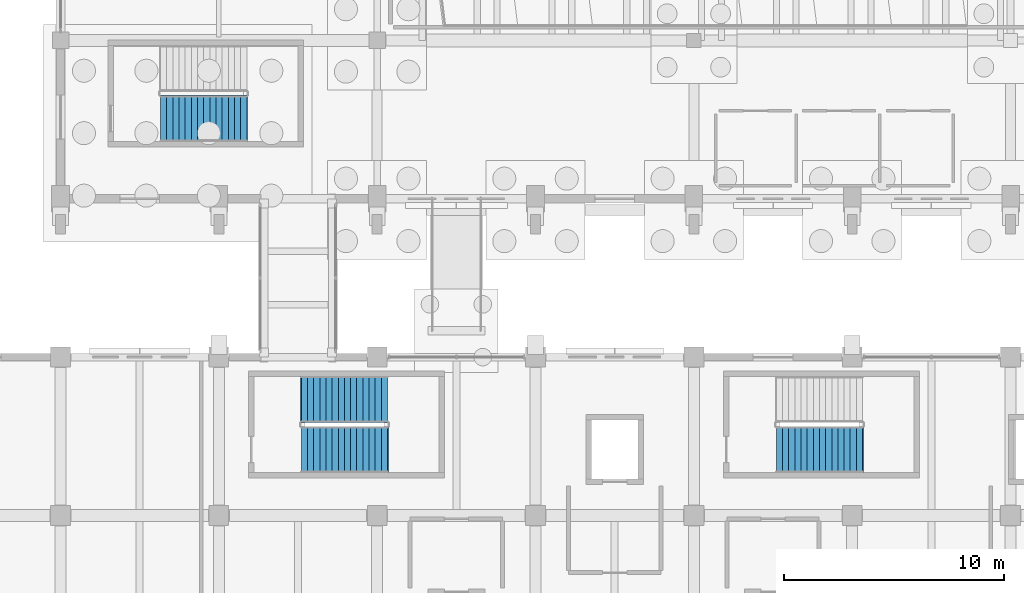
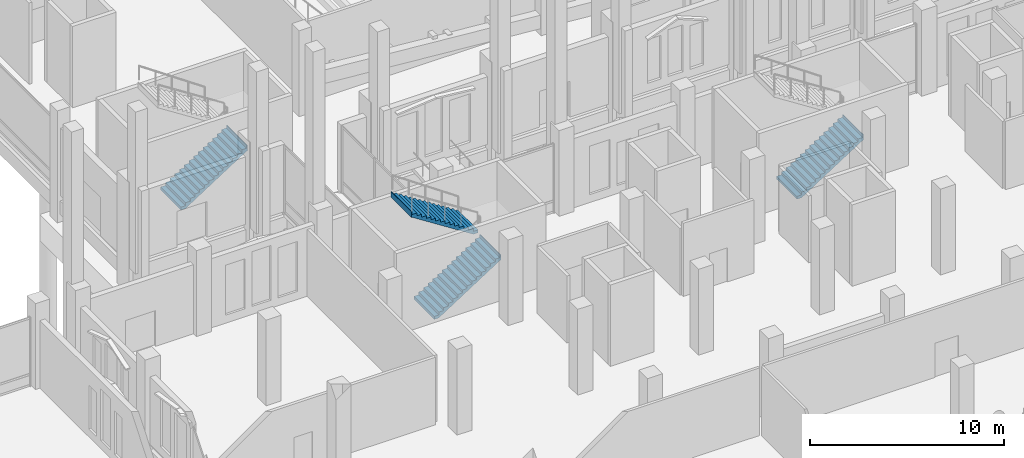
# One storey, part 162 of 192: 4 stair flights, 3 elements without a shape of their own.
"""IFC4 building model written with IfcOpenShell, lengths in metres."""

from ifc_helpers import new_model, si_unit, direction, frame, origin, place, context, subcontext, project, spatial, triangles, material, type_object, element, aggregate, save


model = new_model("IFC4")

# Units and contexts
model_context = context("Model", 3, precision=1e-05, world=origin(), true_north=direction((0.0, 1.0)))
body_context = subcontext(model_context, "Body", "Model", "MODEL_VIEW")
ifc_project = project(units=[si_unit("LENGTHUNIT", "METRE"), si_unit("AREAUNIT", "SQUARE_METRE"), si_unit("VOLUMEUNIT", "CUBIC_METRE"), si_unit("PLANEANGLEUNIT", "RADIAN"), si_unit("MASSUNIT", "GRAM", prefix="KILO")], contexts=[model_context])

# Site, building, storey
site_placement = place(None, origin())
site = spatial("IfcSite", under=ifc_project, at=site_placement, CompositionType="ELEMENT")
building_placement = place(site_placement, origin())
building = spatial("IfcBuilding", under=site, at=building_placement, Name="Cendralis Lancet Convention Centre", CompositionType="ELEMENT")
storey_placement = place(building_placement, origin())
storey = spatial("IfcBuildingStorey", under=building, at=storey_placement, Name="L00", CompositionType="ELEMENT", Elevation=0.0)

# Stair, stair flight
ifc_material = material(Name="Concrete G35 (C35/45)", Category="concrete")
stair_type = type_object("IfcStairType", Name="ARC-ST-CORE", PredefinedType="HALF_TURN_STAIR", material=ifc_material)
stair_1_placement = place(storey_placement, origin())
stair_1 = element("IfcStair", 1, at=stair_1_placement, inside=storey, type_object=stair_type, Name="L00 Protected Exit Stair ST-08", PredefinedType="HALF_TURN_STAIR")
stair_flight_type = type_object("IfcStairFlightType", Name="ARC-SF-CORE", PredefinedType="STRAIGHT", material=ifc_material)
stair_flight_1_placement = place(storey_placement, frame((143.75, 46.85009765625, 0.0), z_axis=(0.0, 0.0, 1.0), x_axis=(1.0, 0.0, 0.0)))
stair_flight_1 = element("IfcStairFlight", 2, at=stair_flight_1_placement, type_object=stair_flight_type, Name="ST-08 flight 1", NumberOfRisers=15, NumberOfTreads=14, PredefinedType="STRAIGHT", RiserHeight=0.18, TreadLength=0.28, context=body_context, shape_type="Tessellation", body=[
    triangles([(0.0, 0.0, 0.09), (0.0, 1.050049, 0.0), (0.0, -1.050049, 0.0), (0.0, -1.050049, 0.18), (0.0, 1.050049, 0.18), (0.138604, 0.0, 0.18), (0.277208, -1.050049, 0.18), (0.277208, 1.050049, 0.18), (0.138604, 0.0, 0.0), (0.277208, -1.050049, 0.0), (0.277208, 1.050049, 0.0), (0.278604, 0.0, 0.18), (0.28, -1.050049, 0.18), (0.28, 1.050049, 0.18), (0.278604, 0.0, 0.000897), (0.28, -1.050049, 0.001795), (0.28, 1.050049, 0.001795), (0.28, 0.0, 0.27), (0.28, -1.050049, 0.36), (0.28, 1.050049, 0.36), (0.42, 0.0, 0.36), (0.56, -1.050049, 0.36), (0.56, 1.050049, 0.36), (0.42, 0.0, 0.091795), (0.56, -1.050049, 0.181795), (0.56, 1.050049, 0.181795), (0.56, 0.0, 0.45), (0.56, -1.050049, 0.54), (0.56, 1.050049, 0.54), (0.7, 0.0, 0.54), (0.84, -1.050049, 0.54), (0.84, 1.050049, 0.54), (0.7, 0.0, 0.271795), (0.84, -1.050049, 0.361795), (0.84, 1.050049, 0.361795), (0.84, 0.0, 0.63), (0.84, -1.050049, 0.72), (0.84, 1.050049, 0.72), (0.98, 0.0, 0.72), (1.12, -1.050049, 0.72), (1.12, 1.050049, 0.72), (0.98, 0.0, 0.451795), (1.12, -1.050049, 0.541795), (1.12, 1.050049, 0.541795), (1.12, 0.0, 0.81), (1.12, -1.050049, 0.9), (1.12, 1.050049, 0.9), (1.26, 0.0, 0.9), (1.4, -1.050049, 0.9), (1.4, 1.050049, 0.9), (1.26, 0.0, 0.631795), (1.4, -1.050049, 0.721795), (1.4, 1.050049, 0.721795), (1.4, 0.0, 0.99), (1.4, -1.050049, 1.08), (1.4, 1.050049, 1.08), (1.54, 0.0, 1.08), (1.68, -1.050049, 1.08), (1.68, 1.050049, 1.08), (1.54, 0.0, 0.811795), (1.68, -1.050049, 0.901795), (1.68, 1.050049, 0.901795), (1.68, 0.0, 1.17), (1.68, -1.050049, 1.26), (1.68, 1.050049, 1.26), (1.82, 0.0, 1.26), (1.96, -1.050049, 1.26), (1.96, 1.050049, 1.26), (1.82, 0.0, 0.991795), (1.96, -1.050049, 1.081795), (1.96, 1.050049, 1.081795), (1.96, 0.0, 1.35), (1.96, -1.050049, 1.44), (1.96, 1.050049, 1.44), (2.1, 0.0, 1.44), (2.24, -1.050049, 1.44), (2.24, 1.050049, 1.44), (2.1, 0.0, 1.171795), (2.24, -1.050049, 1.261795), (2.24, 1.050049, 1.261795), (2.24, 0.0, 1.53), (2.24, -1.050049, 1.62), (2.24, 1.050049, 1.62), (2.38, 0.0, 1.62), (2.52, -1.050049, 1.62), (2.52, 1.050049, 1.62), (2.38, 0.0, 1.351795), (2.52, -1.050049, 1.441795), (2.52, 1.050049, 1.441795), (2.52, 0.0, 1.71), (2.52, -1.050049, 1.8), (2.52, 1.050049, 1.8), (2.66, 0.0, 1.8), (2.8, -1.050049, 1.8), (2.8, 1.050049, 1.8), (2.66, 0.0, 1.531795), (2.8, -1.050049, 1.621795), (2.8, 1.050049, 1.621795), (2.8, 0.0, 1.89), (2.8, -1.050049, 1.98), (2.8, 1.050049, 1.98), (2.94, 0.0, 1.98), (3.08, -1.050049, 1.98), (3.08, 1.050049, 1.98), (2.94, 0.0, 1.711795), (3.08, -1.050049, 1.801795), (3.08, 1.050049, 1.801795), (3.08, 0.0, 2.07), (3.08, -1.050049, 2.16), (3.08, 1.050049, 2.16), (3.22, 0.0, 2.16), (3.36, -1.050049, 2.16), (3.36, 1.050049, 2.16), (3.22, 0.0, 1.891795), (3.36, -1.050049, 1.981795), (3.36, 1.050049, 1.981795), (3.36, 0.0, 2.25), (3.36, -1.050049, 2.34), (3.36, 1.050049, 2.34), (3.5, 0.0, 2.34), (3.64, -1.050049, 2.34), (3.64, 1.050049, 2.34), (3.5, 0.0, 2.071795), (3.64, -1.050049, 2.161795), (3.64, 1.050049, 2.161795), (3.64, 0.0, 2.43), (3.64, -1.050049, 2.52), (3.64, 1.050049, 2.52), (3.78, 0.0, 2.52), (3.92, -1.050049, 2.52), (3.92, 1.050049, 2.52), (3.78, 0.0, 2.251795), (3.92, -1.050049, 2.341795), (3.92, 1.050049, 2.341795), (3.92, 0.0, 2.61), (3.92, -1.050049, 2.7), (3.92, 1.050049, 2.7), (3.94, 0.0, 2.7), (3.96, -1.050049, 2.7), (3.96, 1.050049, 2.7), (3.94, 0.0, 2.341795), (3.96, -1.050049, 2.341795), (3.96, 1.050049, 2.341795), (3.96, 0.0, 2.520898)], [[2, 3, 1], [3, 4, 1], [4, 5, 1], [5, 2, 1], [4, 7, 6], [7, 8, 6], [8, 5, 6], [5, 4, 6], [10, 3, 9], [3, 2, 9], [2, 11, 9], [11, 10, 9], [3, 10, 7], [3, 7, 4], [2, 8, 11], [2, 5, 8], [7, 13, 12], [13, 14, 12], [14, 8, 12], [8, 7, 12], [16, 10, 15], [10, 11, 15], [11, 17, 15], [17, 16, 15], [10, 16, 13], [10, 13, 7], [11, 14, 17], [11, 8, 14], [14, 13, 18], [13, 19, 18], [19, 20, 18], [20, 14, 18], [19, 22, 21], [22, 23, 21], [23, 20, 21], [20, 19, 21], [25, 16, 24], [16, 17, 24], [17, 26, 24], [26, 25, 24], [16, 25, 22], [16, 22, 13], [13, 22, 19], [17, 23, 26], [17, 14, 23], [14, 20, 23], [23, 22, 27], [22, 28, 27], [28, 29, 27], [29, 23, 27], [28, 31, 30], [31, 32, 30], [32, 29, 30], [29, 28, 30], [34, 25, 33], [25, 26, 33], [26, 35, 33], [35, 34, 33], [25, 34, 31], [25, 31, 22], [22, 31, 28], [26, 32, 35], [26, 23, 32], [23, 29, 32], [32, 31, 36], [31, 37, 36], [37, 38, 36], [38, 32, 36], [37, 40, 39], [40, 41, 39], [41, 38, 39], [38, 37, 39], [43, 34, 42], [34, 35, 42], [35, 44, 42], [44, 43, 42], [34, 43, 40], [34, 40, 31], [31, 40, 37], [35, 41, 44], [35, 32, 41], [32, 38, 41], [41, 40, 45], [40, 46, 45], [46, 47, 45], [47, 41, 45], [46, 49, 48], [49, 50, 48], [50, 47, 48], [47, 46, 48], [52, 43, 51], [43, 44, 51], [44, 53, 51], [53, 52, 51], [43, 52, 49], [43, 49, 40], [40, 49, 46], [44, 50, 53], [44, 41, 50], [41, 47, 50], [50, 49, 54], [49, 55, 54], [55, 56, 54], [56, 50, 54], [55, 58, 57], [58, 59, 57], [59, 56, 57], [56, 55, 57], [61, 52, 60], [52, 53, 60], [53, 62, 60], [62, 61, 60], [52, 61, 58], [52, 58, 49], [49, 58, 55], [53, 59, 62], [53, 50, 59], [50, 56, 59], [59, 58, 63], [58, 64, 63], [64, 65, 63], [65, 59, 63], [64, 67, 66], [67, 68, 66], [68, 65, 66], [65, 64, 66], [70, 61, 69], [61, 62, 69], [62, 71, 69], [71, 70, 69], [61, 70, 67], [61, 67, 58], [58, 67, 64], [62, 68, 71], [62, 59, 68], [59, 65, 68], [68, 67, 72], [67, 73, 72], [73, 74, 72], [74, 68, 72], [73, 76, 75], [76, 77, 75], [77, 74, 75], [74, 73, 75], [79, 70, 78], [70, 71, 78], [71, 80, 78], [80, 79, 78], [70, 79, 76], [70, 76, 67], [67, 76, 73], [71, 77, 80], [71, 68, 77], [68, 74, 77], [77, 76, 81], [76, 82, 81], [82, 83, 81], [83, 77, 81], [82, 85, 84], [85, 86, 84], [86, 83, 84], [83, 82, 84], [88, 79, 87], [79, 80, 87], [80, 89, 87], [89, 88, 87], [79, 88, 85], [79, 85, 76], [76, 85, 82], [80, 86, 89], [80, 77, 86], [77, 83, 86], [86, 85, 90], [85, 91, 90], [91, 92, 90], [92, 86, 90], [91, 94, 93], [94, 95, 93], [95, 92, 93], [92, 91, 93], [97, 88, 96], [88, 89, 96], [89, 98, 96], [98, 97, 96], [88, 97, 94], [88, 94, 85], [85, 94, 91], [89, 95, 98], [89, 86, 95], [86, 92, 95], [95, 94, 99], [94, 100, 99], [100, 101, 99], [101, 95, 99], [100, 103, 102], [103, 104, 102], [104, 101, 102], [101, 100, 102], [106, 97, 105], [97, 98, 105], [98, 107, 105], [107, 106, 105], [97, 106, 103], [97, 103, 94], [94, 103, 100], [98, 104, 107], [98, 95, 104], [95, 101, 104], [104, 103, 108], [103, 109, 108], [109, 110, 108], [110, 104, 108], [109, 112, 111], [112, 113, 111], [113, 110, 111], [110, 109, 111], [115, 106, 114], [106, 107, 114], [107, 116, 114], [116, 115, 114], [106, 115, 112], [106, 112, 103], [103, 112, 109], [107, 113, 116], [107, 104, 113], [104, 110, 113], [113, 112, 117], [112, 118, 117], [118, 119, 117], [119, 113, 117], [118, 121, 120], [121, 122, 120], [122, 119, 120], [119, 118, 120], [124, 115, 123], [115, 116, 123], [116, 125, 123], [125, 124, 123], [115, 124, 121], [115, 121, 112], [112, 121, 118], [116, 122, 125], [116, 113, 122], [113, 119, 122], [122, 121, 126], [121, 127, 126], [127, 128, 126], [128, 122, 126], [127, 130, 129], [130, 131, 129], [131, 128, 129], [128, 127, 129], [133, 124, 132], [124, 125, 132], [125, 134, 132], [134, 133, 132], [124, 133, 130], [124, 130, 121], [121, 130, 127], [125, 131, 134], [125, 122, 131], [122, 128, 131], [131, 130, 135], [130, 136, 135], [136, 137, 135], [137, 131, 135], [136, 139, 138], [139, 140, 138], [140, 137, 138], [137, 136, 138], [142, 133, 141], [133, 134, 141], [134, 143, 141], [143, 142, 141], [133, 142, 139], [133, 139, 130], [130, 139, 136], [134, 140, 143], [134, 131, 140], [131, 137, 140], [142, 143, 144], [143, 140, 144], [140, 139, 144], [139, 142, 144]], closed=True),
])
aggregate(stair_1, [stair_flight_1])

# Stair, stair flights
stair_2_placement = place(storey_placement, origin())
stair_2 = element("IfcStair", 3, at=stair_2_placement, inside=storey, type_object=stair_type, Name="L00 Protected Exit Stair ST-13", PredefinedType="HALF_TURN_STAIR")
stair_flight_2_placement = place(storey_placement, frame((150.14990234375, 31.800048828125, 0.0), z_axis=(0.0, 0.0, 1.0), x_axis=(1.0, 0.0, 0.0)))
stair_flight_2 = element("IfcStairFlight", 4, at=stair_flight_2_placement, type_object=stair_flight_type, Name="ST-13 flight 1", NumberOfRisers=15, NumberOfTreads=14, PredefinedType="STRAIGHT", RiserHeight=0.18, TreadLength=0.28, context=body_context, shape_type="Tessellation", body=[
    triangles([(0.0, 0.0, 0.09), (0.0, 1.050049, 0.0), (0.0, -1.050049, 0.0), (0.0, -1.050049, 0.18), (0.0, 1.050049, 0.18), (0.138604, 0.0, 0.18), (0.277208, -1.050049, 0.18), (0.277208, 1.050049, 0.18), (0.138604, 0.0, 0.0), (0.277208, -1.050049, 0.0), (0.277208, 1.050049, 0.0), (0.278604, 0.0, 0.18), (0.28, -1.050049, 0.18), (0.28, 1.050049, 0.18), (0.278604, 0.0, 0.000897), (0.28, -1.050049, 0.001795), (0.28, 1.050049, 0.001795), (0.28, 0.0, 0.27), (0.28, -1.050049, 0.36), (0.28, 1.050049, 0.36), (0.42, 0.0, 0.36), (0.56, -1.050049, 0.36), (0.56, 1.050049, 0.36), (0.42, 0.0, 0.091795), (0.56, -1.050049, 0.181795), (0.56, 1.050049, 0.181795), (0.56, 0.0, 0.45), (0.56, -1.050049, 0.54), (0.56, 1.050049, 0.54), (0.7, 0.0, 0.54), (0.84, -1.050049, 0.54), (0.84, 1.050049, 0.54), (0.7, 0.0, 0.271795), (0.84, -1.050049, 0.361795), (0.84, 1.050049, 0.361795), (0.84, 0.0, 0.63), (0.84, -1.050049, 0.72), (0.84, 1.050049, 0.72), (0.98, 0.0, 0.72), (1.12, -1.050049, 0.72), (1.12, 1.050049, 0.72), (0.98, 0.0, 0.451795), (1.12, -1.050049, 0.541795), (1.12, 1.050049, 0.541795), (1.12, 0.0, 0.81), (1.12, -1.050049, 0.9), (1.12, 1.050049, 0.9), (1.26, 0.0, 0.9), (1.4, -1.050049, 0.9), (1.4, 1.050049, 0.9), (1.26, 0.0, 0.631795), (1.4, -1.050049, 0.721795), (1.4, 1.050049, 0.721795), (1.4, 0.0, 0.99), (1.4, -1.050049, 1.08), (1.4, 1.050049, 1.08), (1.54, 0.0, 1.08), (1.68, -1.050049, 1.08), (1.68, 1.050049, 1.08), (1.54, 0.0, 0.811795), (1.68, -1.050049, 0.901795), (1.68, 1.050049, 0.901795), (1.68, 0.0, 1.17), (1.68, -1.050049, 1.26), (1.68, 1.050049, 1.26), (1.82, 0.0, 1.26), (1.96, -1.050049, 1.26), (1.96, 1.050049, 1.26), (1.82, 0.0, 0.991795), (1.96, -1.050049, 1.081795), (1.96, 1.050049, 1.081795), (1.96, 0.0, 1.35), (1.96, -1.050049, 1.44), (1.96, 1.050049, 1.44), (2.1, 0.0, 1.44), (2.24, -1.050049, 1.44), (2.24, 1.050049, 1.44), (2.1, 0.0, 1.171795), (2.24, -1.050049, 1.261795), (2.24, 1.050049, 1.261795), (2.24, 0.0, 1.53), (2.24, -1.050049, 1.62), (2.24, 1.050049, 1.62), (2.38, 0.0, 1.62), (2.52, -1.050049, 1.62), (2.52, 1.050049, 1.62), (2.38, 0.0, 1.351795), (2.52, -1.050049, 1.441795), (2.52, 1.050049, 1.441795), (2.52, 0.0, 1.71), (2.52, -1.050049, 1.8), (2.52, 1.050049, 1.8), (2.66, 0.0, 1.8), (2.8, -1.050049, 1.8), (2.8, 1.050049, 1.8), (2.66, 0.0, 1.531795), (2.8, -1.050049, 1.621795), (2.8, 1.050049, 1.621795), (2.8, 0.0, 1.89), (2.8, -1.050049, 1.98), (2.8, 1.050049, 1.98), (2.94, 0.0, 1.98), (3.08, -1.050049, 1.98), (3.08, 1.050049, 1.98), (2.94, 0.0, 1.711795), (3.08, -1.050049, 1.801795), (3.08, 1.050049, 1.801795), (3.08, 0.0, 2.07), (3.08, -1.050049, 2.16), (3.08, 1.050049, 2.16), (3.22, 0.0, 2.16), (3.36, -1.050049, 2.16), (3.36, 1.050049, 2.16), (3.22, 0.0, 1.891795), (3.36, -1.050049, 1.981795), (3.36, 1.050049, 1.981795), (3.36, 0.0, 2.25), (3.36, -1.050049, 2.34), (3.36, 1.050049, 2.34), (3.5, 0.0, 2.34), (3.64, -1.050049, 2.34), (3.64, 1.050049, 2.34), (3.5, 0.0, 2.071795), (3.64, -1.050049, 2.161795), (3.64, 1.050049, 2.161795), (3.64, 0.0, 2.43), (3.64, -1.050049, 2.52), (3.64, 1.050049, 2.52), (3.78, 0.0, 2.52), (3.92, -1.050049, 2.52), (3.92, 1.050049, 2.52), (3.78, 0.0, 2.251795), (3.92, -1.050049, 2.341795), (3.92, 1.050049, 2.341795), (3.92, 0.0, 2.61), (3.92, -1.050049, 2.7), (3.92, 1.050049, 2.7), (3.94, 0.0, 2.7), (3.96, -1.050049, 2.7), (3.96, 1.050049, 2.7), (3.94, 0.0, 2.341795), (3.96, -1.050049, 2.341795), (3.96, 1.050049, 2.341795), (3.96, 0.0, 2.520898)], [[2, 3, 1], [3, 4, 1], [4, 5, 1], [5, 2, 1], [4, 7, 6], [7, 8, 6], [8, 5, 6], [5, 4, 6], [10, 3, 9], [3, 2, 9], [2, 11, 9], [11, 10, 9], [3, 10, 7], [3, 7, 4], [2, 8, 11], [2, 5, 8], [7, 13, 12], [13, 14, 12], [14, 8, 12], [8, 7, 12], [16, 10, 15], [10, 11, 15], [11, 17, 15], [17, 16, 15], [10, 16, 13], [10, 13, 7], [11, 14, 17], [11, 8, 14], [14, 13, 18], [13, 19, 18], [19, 20, 18], [20, 14, 18], [19, 22, 21], [22, 23, 21], [23, 20, 21], [20, 19, 21], [25, 16, 24], [16, 17, 24], [17, 26, 24], [26, 25, 24], [16, 25, 22], [16, 22, 13], [13, 22, 19], [17, 23, 26], [17, 14, 23], [14, 20, 23], [23, 22, 27], [22, 28, 27], [28, 29, 27], [29, 23, 27], [28, 31, 30], [31, 32, 30], [32, 29, 30], [29, 28, 30], [34, 25, 33], [25, 26, 33], [26, 35, 33], [35, 34, 33], [25, 34, 31], [25, 31, 22], [22, 31, 28], [26, 32, 35], [26, 23, 32], [23, 29, 32], [32, 31, 36], [31, 37, 36], [37, 38, 36], [38, 32, 36], [37, 40, 39], [40, 41, 39], [41, 38, 39], [38, 37, 39], [43, 34, 42], [34, 35, 42], [35, 44, 42], [44, 43, 42], [34, 43, 40], [34, 40, 31], [31, 40, 37], [35, 41, 44], [35, 32, 41], [32, 38, 41], [41, 40, 45], [40, 46, 45], [46, 47, 45], [47, 41, 45], [46, 49, 48], [49, 50, 48], [50, 47, 48], [47, 46, 48], [52, 43, 51], [43, 44, 51], [44, 53, 51], [53, 52, 51], [43, 52, 49], [43, 49, 40], [40, 49, 46], [44, 50, 53], [44, 41, 50], [41, 47, 50], [50, 49, 54], [49, 55, 54], [55, 56, 54], [56, 50, 54], [55, 58, 57], [58, 59, 57], [59, 56, 57], [56, 55, 57], [61, 52, 60], [52, 53, 60], [53, 62, 60], [62, 61, 60], [52, 61, 58], [52, 58, 49], [49, 58, 55], [53, 59, 62], [53, 50, 59], [50, 56, 59], [59, 58, 63], [58, 64, 63], [64, 65, 63], [65, 59, 63], [64, 67, 66], [67, 68, 66], [68, 65, 66], [65, 64, 66], [70, 61, 69], [61, 62, 69], [62, 71, 69], [71, 70, 69], [61, 70, 67], [61, 67, 58], [58, 67, 64], [62, 68, 71], [62, 59, 68], [59, 65, 68], [68, 67, 72], [67, 73, 72], [73, 74, 72], [74, 68, 72], [73, 76, 75], [76, 77, 75], [77, 74, 75], [74, 73, 75], [79, 70, 78], [70, 71, 78], [71, 80, 78], [80, 79, 78], [70, 79, 76], [70, 76, 67], [67, 76, 73], [71, 77, 80], [71, 68, 77], [68, 74, 77], [77, 76, 81], [76, 82, 81], [82, 83, 81], [83, 77, 81], [82, 85, 84], [85, 86, 84], [86, 83, 84], [83, 82, 84], [88, 79, 87], [79, 80, 87], [80, 89, 87], [89, 88, 87], [79, 88, 85], [79, 85, 76], [76, 85, 82], [80, 86, 89], [80, 77, 86], [77, 83, 86], [86, 85, 90], [85, 91, 90], [91, 92, 90], [92, 86, 90], [91, 94, 93], [94, 95, 93], [95, 92, 93], [92, 91, 93], [97, 88, 96], [88, 89, 96], [89, 98, 96], [98, 97, 96], [88, 97, 94], [88, 94, 85], [85, 94, 91], [89, 95, 98], [89, 86, 95], [86, 92, 95], [95, 94, 99], [94, 100, 99], [100, 101, 99], [101, 95, 99], [100, 103, 102], [103, 104, 102], [104, 101, 102], [101, 100, 102], [106, 97, 105], [97, 98, 105], [98, 107, 105], [107, 106, 105], [97, 106, 103], [97, 103, 94], [94, 103, 100], [98, 104, 107], [98, 95, 104], [95, 101, 104], [104, 103, 108], [103, 109, 108], [109, 110, 108], [110, 104, 108], [109, 112, 111], [112, 113, 111], [113, 110, 111], [110, 109, 111], [115, 106, 114], [106, 107, 114], [107, 116, 114], [116, 115, 114], [106, 115, 112], [106, 112, 103], [103, 112, 109], [107, 113, 116], [107, 104, 113], [104, 110, 113], [113, 112, 117], [112, 118, 117], [118, 119, 117], [119, 113, 117], [118, 121, 120], [121, 122, 120], [122, 119, 120], [119, 118, 120], [124, 115, 123], [115, 116, 123], [116, 125, 123], [125, 124, 123], [115, 124, 121], [115, 121, 112], [112, 121, 118], [116, 122, 125], [116, 113, 122], [113, 119, 122], [122, 121, 126], [121, 127, 126], [127, 128, 126], [128, 122, 126], [127, 130, 129], [130, 131, 129], [131, 128, 129], [128, 127, 129], [133, 124, 132], [124, 125, 132], [125, 134, 132], [134, 133, 132], [124, 133, 130], [124, 130, 121], [121, 130, 127], [125, 131, 134], [125, 122, 131], [122, 128, 131], [131, 130, 135], [130, 136, 135], [136, 137, 135], [137, 131, 135], [136, 139, 138], [139, 140, 138], [140, 137, 138], [137, 136, 138], [142, 133, 141], [133, 134, 141], [134, 143, 141], [143, 142, 141], [133, 142, 139], [133, 139, 130], [130, 139, 136], [134, 140, 143], [134, 131, 140], [131, 137, 140], [142, 143, 144], [143, 140, 144], [140, 139, 144], [139, 142, 144]], closed=True),
])
stair_flight_3_placement = place(storey_placement, frame((154.070068359375, 34.080078125, 2.699951171875), z_axis=(0.0, 0.0, 1.0), x_axis=(-1.0, 0.0, 0.0)))
stair_flight_3 = element("IfcStairFlight", 5, at=stair_flight_3_placement, type_object=stair_flight_type, Name="ST-13 flight 2", NumberOfRisers=15, NumberOfTreads=14, PredefinedType="STRAIGHT", RiserHeight=0.18, TreadLength=0.28, context=body_context, shape_type="Tessellation", body=[
    triangles([(0.0, 0.0, 0.09), (0.0, 1.050049, 0.0), (0.0, -1.050049, 0.0), (0.0, -1.050049, 0.18), (0.0, 1.050049, 0.18), (0.138604, 0.0, 0.18), (0.277208, -1.050049, 0.18), (0.277208, 1.050049, 0.18), (0.138604, 0.0, 0.0), (0.277208, -1.050049, 0.0), (0.277208, 1.050049, 0.0), (0.278604, 0.0, 0.18), (0.28, -1.050049, 0.18), (0.28, 1.050049, 0.18), (0.278604, 0.0, 0.000897), (0.28, -1.050049, 0.001795), (0.28, 1.050049, 0.001795), (0.28, 0.0, 0.27), (0.28, -1.050049, 0.36), (0.28, 1.050049, 0.36), (0.42, 0.0, 0.36), (0.56, -1.050049, 0.36), (0.56, 1.050049, 0.36), (0.42, 0.0, 0.091795), (0.56, -1.050049, 0.181795), (0.56, 1.050049, 0.181795), (0.56, 0.0, 0.45), (0.56, -1.050049, 0.54), (0.56, 1.050049, 0.54), (0.7, 0.0, 0.54), (0.84, -1.050049, 0.54), (0.84, 1.050049, 0.54), (0.7, 0.0, 0.271795), (0.84, -1.050049, 0.361795), (0.84, 1.050049, 0.361795), (0.84, 0.0, 0.63), (0.84, -1.050049, 0.72), (0.84, 1.050049, 0.72), (0.98, 0.0, 0.72), (1.12, -1.050049, 0.72), (1.12, 1.050049, 0.72), (0.98, 0.0, 0.451795), (1.12, -1.050049, 0.541795), (1.12, 1.050049, 0.541795), (1.12, 0.0, 0.81), (1.12, -1.050049, 0.9), (1.12, 1.050049, 0.9), (1.26, 0.0, 0.9), (1.4, -1.050049, 0.9), (1.4, 1.050049, 0.9), (1.26, 0.0, 0.631795), (1.4, -1.050049, 0.721795), (1.4, 1.050049, 0.721795), (1.4, 0.0, 0.99), (1.4, -1.050049, 1.08), (1.4, 1.050049, 1.08), (1.54, 0.0, 1.08), (1.68, -1.050049, 1.08), (1.68, 1.050049, 1.08), (1.54, 0.0, 0.811795), (1.68, -1.050049, 0.901795), (1.68, 1.050049, 0.901795), (1.68, 0.0, 1.17), (1.68, -1.050049, 1.26), (1.68, 1.050049, 1.26), (1.82, 0.0, 1.26), (1.96, -1.050049, 1.26), (1.96, 1.050049, 1.26), (1.82, 0.0, 0.991795), (1.96, -1.050049, 1.081795), (1.96, 1.050049, 1.081795), (1.96, 0.0, 1.35), (1.96, -1.050049, 1.44), (1.96, 1.050049, 1.44), (2.1, 0.0, 1.44), (2.24, -1.050049, 1.44), (2.24, 1.050049, 1.44), (2.1, 0.0, 1.171795), (2.24, -1.050049, 1.261795), (2.24, 1.050049, 1.261795), (2.24, 0.0, 1.53), (2.24, -1.050049, 1.62), (2.24, 1.050049, 1.62), (2.38, 0.0, 1.62), (2.52, -1.050049, 1.62), (2.52, 1.050049, 1.62), (2.38, 0.0, 1.351795), (2.52, -1.050049, 1.441795), (2.52, 1.050049, 1.441795), (2.52, 0.0, 1.71), (2.52, -1.050049, 1.8), (2.52, 1.050049, 1.8), (2.66, 0.0, 1.8), (2.8, -1.050049, 1.8), (2.8, 1.050049, 1.8), (2.66, 0.0, 1.531795), (2.8, -1.050049, 1.621795), (2.8, 1.050049, 1.621795), (2.8, 0.0, 1.89), (2.8, -1.050049, 1.98), (2.8, 1.050049, 1.98), (2.94, 0.0, 1.98), (3.08, -1.050049, 1.98), (3.08, 1.050049, 1.98), (2.94, 0.0, 1.711795), (3.08, -1.050049, 1.801795), (3.08, 1.050049, 1.801795), (3.08, 0.0, 2.07), (3.08, -1.050049, 2.16), (3.08, 1.050049, 2.16), (3.22, 0.0, 2.16), (3.36, -1.050049, 2.16), (3.36, 1.050049, 2.16), (3.22, 0.0, 1.891795), (3.36, -1.050049, 1.981795), (3.36, 1.050049, 1.981795), (3.36, 0.0, 2.25), (3.36, -1.050049, 2.34), (3.36, 1.050049, 2.34), (3.5, 0.0, 2.34), (3.64, -1.050049, 2.34), (3.64, 1.050049, 2.34), (3.5, 0.0, 2.071795), (3.64, -1.050049, 2.161795), (3.64, 1.050049, 2.161795), (3.64, 0.0, 2.43), (3.64, -1.050049, 2.52), (3.64, 1.050049, 2.52), (3.78, 0.0, 2.52), (3.92, -1.050049, 2.52), (3.92, 1.050049, 2.52), (3.78, 0.0, 2.251795), (3.92, -1.050049, 2.341795), (3.92, 1.050049, 2.341795), (3.92, 0.0, 2.61), (3.92, -1.050049, 2.7), (3.92, 1.050049, 2.7), (3.94, 0.0, 2.7), (3.96, -1.050049, 2.7), (3.96, 1.050049, 2.7), (3.94, 0.0, 2.341795), (3.96, -1.050049, 2.341795), (3.96, 1.050049, 2.341795), (3.96, 0.0, 2.520898)], [[2, 3, 1], [3, 4, 1], [4, 5, 1], [5, 2, 1], [4, 7, 6], [7, 8, 6], [8, 5, 6], [5, 4, 6], [10, 3, 9], [3, 2, 9], [2, 11, 9], [11, 10, 9], [3, 10, 7], [3, 7, 4], [2, 8, 11], [2, 5, 8], [7, 13, 12], [13, 14, 12], [14, 8, 12], [8, 7, 12], [16, 10, 15], [10, 11, 15], [11, 17, 15], [17, 16, 15], [10, 16, 13], [10, 13, 7], [11, 14, 17], [11, 8, 14], [14, 13, 18], [13, 19, 18], [19, 20, 18], [20, 14, 18], [19, 22, 21], [22, 23, 21], [23, 20, 21], [20, 19, 21], [25, 16, 24], [16, 17, 24], [17, 26, 24], [26, 25, 24], [16, 25, 22], [16, 22, 13], [13, 22, 19], [17, 23, 26], [17, 14, 23], [14, 20, 23], [23, 22, 27], [22, 28, 27], [28, 29, 27], [29, 23, 27], [28, 31, 30], [31, 32, 30], [32, 29, 30], [29, 28, 30], [34, 25, 33], [25, 26, 33], [26, 35, 33], [35, 34, 33], [25, 34, 31], [25, 31, 22], [22, 31, 28], [26, 32, 35], [26, 23, 32], [23, 29, 32], [32, 31, 36], [31, 37, 36], [37, 38, 36], [38, 32, 36], [37, 40, 39], [40, 41, 39], [41, 38, 39], [38, 37, 39], [43, 34, 42], [34, 35, 42], [35, 44, 42], [44, 43, 42], [34, 43, 40], [34, 40, 31], [31, 40, 37], [35, 41, 44], [35, 32, 41], [32, 38, 41], [41, 40, 45], [40, 46, 45], [46, 47, 45], [47, 41, 45], [46, 49, 48], [49, 50, 48], [50, 47, 48], [47, 46, 48], [52, 43, 51], [43, 44, 51], [44, 53, 51], [53, 52, 51], [43, 52, 49], [43, 49, 40], [40, 49, 46], [44, 50, 53], [44, 41, 50], [41, 47, 50], [50, 49, 54], [49, 55, 54], [55, 56, 54], [56, 50, 54], [55, 58, 57], [58, 59, 57], [59, 56, 57], [56, 55, 57], [61, 52, 60], [52, 53, 60], [53, 62, 60], [62, 61, 60], [52, 61, 58], [52, 58, 49], [49, 58, 55], [53, 59, 62], [53, 50, 59], [50, 56, 59], [59, 58, 63], [58, 64, 63], [64, 65, 63], [65, 59, 63], [64, 67, 66], [67, 68, 66], [68, 65, 66], [65, 64, 66], [70, 61, 69], [61, 62, 69], [62, 71, 69], [71, 70, 69], [61, 70, 67], [61, 67, 58], [58, 67, 64], [62, 68, 71], [62, 59, 68], [59, 65, 68], [68, 67, 72], [67, 73, 72], [73, 74, 72], [74, 68, 72], [73, 76, 75], [76, 77, 75], [77, 74, 75], [74, 73, 75], [79, 70, 78], [70, 71, 78], [71, 80, 78], [80, 79, 78], [70, 79, 76], [70, 76, 67], [67, 76, 73], [71, 77, 80], [71, 68, 77], [68, 74, 77], [77, 76, 81], [76, 82, 81], [82, 83, 81], [83, 77, 81], [82, 85, 84], [85, 86, 84], [86, 83, 84], [83, 82, 84], [88, 79, 87], [79, 80, 87], [80, 89, 87], [89, 88, 87], [79, 88, 85], [79, 85, 76], [76, 85, 82], [80, 86, 89], [80, 77, 86], [77, 83, 86], [86, 85, 90], [85, 91, 90], [91, 92, 90], [92, 86, 90], [91, 94, 93], [94, 95, 93], [95, 92, 93], [92, 91, 93], [97, 88, 96], [88, 89, 96], [89, 98, 96], [98, 97, 96], [88, 97, 94], [88, 94, 85], [85, 94, 91], [89, 95, 98], [89, 86, 95], [86, 92, 95], [95, 94, 99], [94, 100, 99], [100, 101, 99], [101, 95, 99], [100, 103, 102], [103, 104, 102], [104, 101, 102], [101, 100, 102], [106, 97, 105], [97, 98, 105], [98, 107, 105], [107, 106, 105], [97, 106, 103], [97, 103, 94], [94, 103, 100], [98, 104, 107], [98, 95, 104], [95, 101, 104], [104, 103, 108], [103, 109, 108], [109, 110, 108], [110, 104, 108], [109, 112, 111], [112, 113, 111], [113, 110, 111], [110, 109, 111], [115, 106, 114], [106, 107, 114], [107, 116, 114], [116, 115, 114], [106, 115, 112], [106, 112, 103], [103, 112, 109], [107, 113, 116], [107, 104, 113], [104, 110, 113], [113, 112, 117], [112, 118, 117], [118, 119, 117], [119, 113, 117], [118, 121, 120], [121, 122, 120], [122, 119, 120], [119, 118, 120], [124, 115, 123], [115, 116, 123], [116, 125, 123], [125, 124, 123], [115, 124, 121], [115, 121, 112], [112, 121, 118], [116, 122, 125], [116, 113, 122], [113, 119, 122], [122, 121, 126], [121, 127, 126], [127, 128, 126], [128, 122, 126], [127, 130, 129], [130, 131, 129], [131, 128, 129], [128, 127, 129], [133, 124, 132], [124, 125, 132], [125, 134, 132], [134, 133, 132], [124, 133, 130], [124, 130, 121], [121, 130, 127], [125, 131, 134], [125, 122, 131], [122, 128, 131], [131, 130, 135], [130, 136, 135], [136, 137, 135], [137, 131, 135], [136, 139, 138], [139, 140, 138], [140, 137, 138], [137, 136, 138], [142, 133, 141], [133, 134, 141], [134, 143, 141], [143, 142, 141], [133, 142, 139], [133, 139, 130], [130, 139, 136], [134, 140, 143], [134, 131, 140], [131, 137, 140], [142, 143, 144], [143, 140, 144], [140, 139, 144], [139, 142, 144]], closed=True),
])
aggregate(stair_2, [stair_flight_2, stair_flight_3])

# Stair, stair flight
stair_3_placement = place(storey_placement, origin())
stair_3 = element("IfcStair", 6, at=stair_3_placement, inside=storey, type_object=stair_type, Name="L00 Protected Exit Stair ST-14", PredefinedType="HALF_TURN_STAIR")
stair_flight_4_placement = place(storey_placement, frame((171.75, 31.800048828125, 0.0), z_axis=(0.0, 0.0, 1.0), x_axis=(1.0, 0.0, 0.0)))
stair_flight_4 = element("IfcStairFlight", 7, at=stair_flight_4_placement, type_object=stair_flight_type, Name="ST-14 flight 1", NumberOfRisers=15, NumberOfTreads=14, PredefinedType="STRAIGHT", RiserHeight=0.18, TreadLength=0.28, context=body_context, shape_type="Tessellation", body=[
    triangles([(0.0, 0.0, 0.09), (0.0, 1.050049, 0.0), (0.0, -1.050049, 0.0), (0.0, -1.050049, 0.18), (0.0, 1.050049, 0.18), (0.138604, 0.0, 0.18), (0.277208, -1.050049, 0.18), (0.277208, 1.050049, 0.18), (0.138604, 0.0, 0.0), (0.277208, -1.050049, 0.0), (0.277208, 1.050049, 0.0), (0.278604, 0.0, 0.18), (0.28, -1.050049, 0.18), (0.28, 1.050049, 0.18), (0.278604, 0.0, 0.000897), (0.28, -1.050049, 0.001795), (0.28, 1.050049, 0.001795), (0.28, 0.0, 0.27), (0.28, -1.050049, 0.36), (0.28, 1.050049, 0.36), (0.42, 0.0, 0.36), (0.56, -1.050049, 0.36), (0.56, 1.050049, 0.36), (0.42, 0.0, 0.091795), (0.56, -1.050049, 0.181795), (0.56, 1.050049, 0.181795), (0.56, 0.0, 0.45), (0.56, -1.050049, 0.54), (0.56, 1.050049, 0.54), (0.7, 0.0, 0.54), (0.84, -1.050049, 0.54), (0.84, 1.050049, 0.54), (0.7, 0.0, 0.271795), (0.84, -1.050049, 0.361795), (0.84, 1.050049, 0.361795), (0.84, 0.0, 0.63), (0.84, -1.050049, 0.72), (0.84, 1.050049, 0.72), (0.98, 0.0, 0.72), (1.12, -1.050049, 0.72), (1.12, 1.050049, 0.72), (0.98, 0.0, 0.451795), (1.12, -1.050049, 0.541795), (1.12, 1.050049, 0.541795), (1.12, 0.0, 0.81), (1.12, -1.050049, 0.9), (1.12, 1.050049, 0.9), (1.26, 0.0, 0.9), (1.4, -1.050049, 0.9), (1.4, 1.050049, 0.9), (1.26, 0.0, 0.631795), (1.4, -1.050049, 0.721795), (1.4, 1.050049, 0.721795), (1.4, 0.0, 0.99), (1.4, -1.050049, 1.08), (1.4, 1.050049, 1.08), (1.54, 0.0, 1.08), (1.68, -1.050049, 1.08), (1.68, 1.050049, 1.08), (1.54, 0.0, 0.811795), (1.68, -1.050049, 0.901795), (1.68, 1.050049, 0.901795), (1.68, 0.0, 1.17), (1.68, -1.050049, 1.26), (1.68, 1.050049, 1.26), (1.82, 0.0, 1.26), (1.96, -1.050049, 1.26), (1.96, 1.050049, 1.26), (1.82, 0.0, 0.991795), (1.96, -1.050049, 1.081795), (1.96, 1.050049, 1.081795), (1.96, 0.0, 1.35), (1.96, -1.050049, 1.44), (1.96, 1.050049, 1.44), (2.1, 0.0, 1.44), (2.24, -1.050049, 1.44), (2.24, 1.050049, 1.44), (2.1, 0.0, 1.171795), (2.24, -1.050049, 1.261795), (2.24, 1.050049, 1.261795), (2.24, 0.0, 1.53), (2.24, -1.050049, 1.62), (2.24, 1.050049, 1.62), (2.38, 0.0, 1.62), (2.52, -1.050049, 1.62), (2.52, 1.050049, 1.62), (2.38, 0.0, 1.351795), (2.52, -1.050049, 1.441795), (2.52, 1.050049, 1.441795), (2.52, 0.0, 1.71), (2.52, -1.050049, 1.8), (2.52, 1.050049, 1.8), (2.66, 0.0, 1.8), (2.8, -1.050049, 1.8), (2.8, 1.050049, 1.8), (2.66, 0.0, 1.531795), (2.8, -1.050049, 1.621795), (2.8, 1.050049, 1.621795), (2.8, 0.0, 1.89), (2.8, -1.050049, 1.98), (2.8, 1.050049, 1.98), (2.94, 0.0, 1.98), (3.08, -1.050049, 1.98), (3.08, 1.050049, 1.98), (2.94, 0.0, 1.711795), (3.08, -1.050049, 1.801795), (3.08, 1.050049, 1.801795), (3.08, 0.0, 2.07), (3.08, -1.050049, 2.16), (3.08, 1.050049, 2.16), (3.22, 0.0, 2.16), (3.36, -1.050049, 2.16), (3.36, 1.050049, 2.16), (3.22, 0.0, 1.891795), (3.36, -1.050049, 1.981795), (3.36, 1.050049, 1.981795), (3.36, 0.0, 2.25), (3.36, -1.050049, 2.34), (3.36, 1.050049, 2.34), (3.5, 0.0, 2.34), (3.64, -1.050049, 2.34), (3.64, 1.050049, 2.34), (3.5, 0.0, 2.071795), (3.64, -1.050049, 2.161795), (3.64, 1.050049, 2.161795), (3.64, 0.0, 2.43), (3.64, -1.050049, 2.52), (3.64, 1.050049, 2.52), (3.78, 0.0, 2.52), (3.92, -1.050049, 2.52), (3.92, 1.050049, 2.52), (3.78, 0.0, 2.251795), (3.92, -1.050049, 2.341795), (3.92, 1.050049, 2.341795), (3.92, 0.0, 2.61), (3.92, -1.050049, 2.7), (3.92, 1.050049, 2.7), (3.94, 0.0, 2.7), (3.96, -1.050049, 2.7), (3.96, 1.050049, 2.7), (3.94, 0.0, 2.341795), (3.96, -1.050049, 2.341795), (3.96, 1.050049, 2.341795), (3.96, 0.0, 2.520898)], [[2, 3, 1], [3, 4, 1], [4, 5, 1], [5, 2, 1], [4, 7, 6], [7, 8, 6], [8, 5, 6], [5, 4, 6], [10, 3, 9], [3, 2, 9], [2, 11, 9], [11, 10, 9], [3, 10, 7], [3, 7, 4], [2, 8, 11], [2, 5, 8], [7, 13, 12], [13, 14, 12], [14, 8, 12], [8, 7, 12], [16, 10, 15], [10, 11, 15], [11, 17, 15], [17, 16, 15], [10, 16, 13], [10, 13, 7], [11, 14, 17], [11, 8, 14], [14, 13, 18], [13, 19, 18], [19, 20, 18], [20, 14, 18], [19, 22, 21], [22, 23, 21], [23, 20, 21], [20, 19, 21], [25, 16, 24], [16, 17, 24], [17, 26, 24], [26, 25, 24], [16, 25, 22], [16, 22, 13], [13, 22, 19], [17, 23, 26], [17, 14, 23], [14, 20, 23], [23, 22, 27], [22, 28, 27], [28, 29, 27], [29, 23, 27], [28, 31, 30], [31, 32, 30], [32, 29, 30], [29, 28, 30], [34, 25, 33], [25, 26, 33], [26, 35, 33], [35, 34, 33], [25, 34, 31], [25, 31, 22], [22, 31, 28], [26, 32, 35], [26, 23, 32], [23, 29, 32], [32, 31, 36], [31, 37, 36], [37, 38, 36], [38, 32, 36], [37, 40, 39], [40, 41, 39], [41, 38, 39], [38, 37, 39], [43, 34, 42], [34, 35, 42], [35, 44, 42], [44, 43, 42], [34, 43, 40], [34, 40, 31], [31, 40, 37], [35, 41, 44], [35, 32, 41], [32, 38, 41], [41, 40, 45], [40, 46, 45], [46, 47, 45], [47, 41, 45], [46, 49, 48], [49, 50, 48], [50, 47, 48], [47, 46, 48], [52, 43, 51], [43, 44, 51], [44, 53, 51], [53, 52, 51], [43, 52, 49], [43, 49, 40], [40, 49, 46], [44, 50, 53], [44, 41, 50], [41, 47, 50], [50, 49, 54], [49, 55, 54], [55, 56, 54], [56, 50, 54], [55, 58, 57], [58, 59, 57], [59, 56, 57], [56, 55, 57], [61, 52, 60], [52, 53, 60], [53, 62, 60], [62, 61, 60], [52, 61, 58], [52, 58, 49], [49, 58, 55], [53, 59, 62], [53, 50, 59], [50, 56, 59], [59, 58, 63], [58, 64, 63], [64, 65, 63], [65, 59, 63], [64, 67, 66], [67, 68, 66], [68, 65, 66], [65, 64, 66], [70, 61, 69], [61, 62, 69], [62, 71, 69], [71, 70, 69], [61, 70, 67], [61, 67, 58], [58, 67, 64], [62, 68, 71], [62, 59, 68], [59, 65, 68], [68, 67, 72], [67, 73, 72], [73, 74, 72], [74, 68, 72], [73, 76, 75], [76, 77, 75], [77, 74, 75], [74, 73, 75], [79, 70, 78], [70, 71, 78], [71, 80, 78], [80, 79, 78], [70, 79, 76], [70, 76, 67], [67, 76, 73], [71, 77, 80], [71, 68, 77], [68, 74, 77], [77, 76, 81], [76, 82, 81], [82, 83, 81], [83, 77, 81], [82, 85, 84], [85, 86, 84], [86, 83, 84], [83, 82, 84], [88, 79, 87], [79, 80, 87], [80, 89, 87], [89, 88, 87], [79, 88, 85], [79, 85, 76], [76, 85, 82], [80, 86, 89], [80, 77, 86], [77, 83, 86], [86, 85, 90], [85, 91, 90], [91, 92, 90], [92, 86, 90], [91, 94, 93], [94, 95, 93], [95, 92, 93], [92, 91, 93], [97, 88, 96], [88, 89, 96], [89, 98, 96], [98, 97, 96], [88, 97, 94], [88, 94, 85], [85, 94, 91], [89, 95, 98], [89, 86, 95], [86, 92, 95], [95, 94, 99], [94, 100, 99], [100, 101, 99], [101, 95, 99], [100, 103, 102], [103, 104, 102], [104, 101, 102], [101, 100, 102], [106, 97, 105], [97, 98, 105], [98, 107, 105], [107, 106, 105], [97, 106, 103], [97, 103, 94], [94, 103, 100], [98, 104, 107], [98, 95, 104], [95, 101, 104], [104, 103, 108], [103, 109, 108], [109, 110, 108], [110, 104, 108], [109, 112, 111], [112, 113, 111], [113, 110, 111], [110, 109, 111], [115, 106, 114], [106, 107, 114], [107, 116, 114], [116, 115, 114], [106, 115, 112], [106, 112, 103], [103, 112, 109], [107, 113, 116], [107, 104, 113], [104, 110, 113], [113, 112, 117], [112, 118, 117], [118, 119, 117], [119, 113, 117], [118, 121, 120], [121, 122, 120], [122, 119, 120], [119, 118, 120], [124, 115, 123], [115, 116, 123], [116, 125, 123], [125, 124, 123], [115, 124, 121], [115, 121, 112], [112, 121, 118], [116, 122, 125], [116, 113, 122], [113, 119, 122], [122, 121, 126], [121, 127, 126], [127, 128, 126], [128, 122, 126], [127, 130, 129], [130, 131, 129], [131, 128, 129], [128, 127, 129], [133, 124, 132], [124, 125, 132], [125, 134, 132], [134, 133, 132], [124, 133, 130], [124, 130, 121], [121, 130, 127], [125, 131, 134], [125, 122, 131], [122, 128, 131], [131, 130, 135], [130, 136, 135], [136, 137, 135], [137, 131, 135], [136, 139, 138], [139, 140, 138], [140, 137, 138], [137, 136, 138], [142, 133, 141], [133, 134, 141], [134, 143, 141], [143, 142, 141], [133, 142, 139], [133, 139, 130], [130, 139, 136], [134, 140, 143], [134, 131, 140], [131, 137, 140], [142, 143, 144], [143, 140, 144], [140, 139, 144], [139, 142, 144]], closed=True),
])
aggregate(stair_3, [stair_flight_4])

save(model, "model.ifc")
